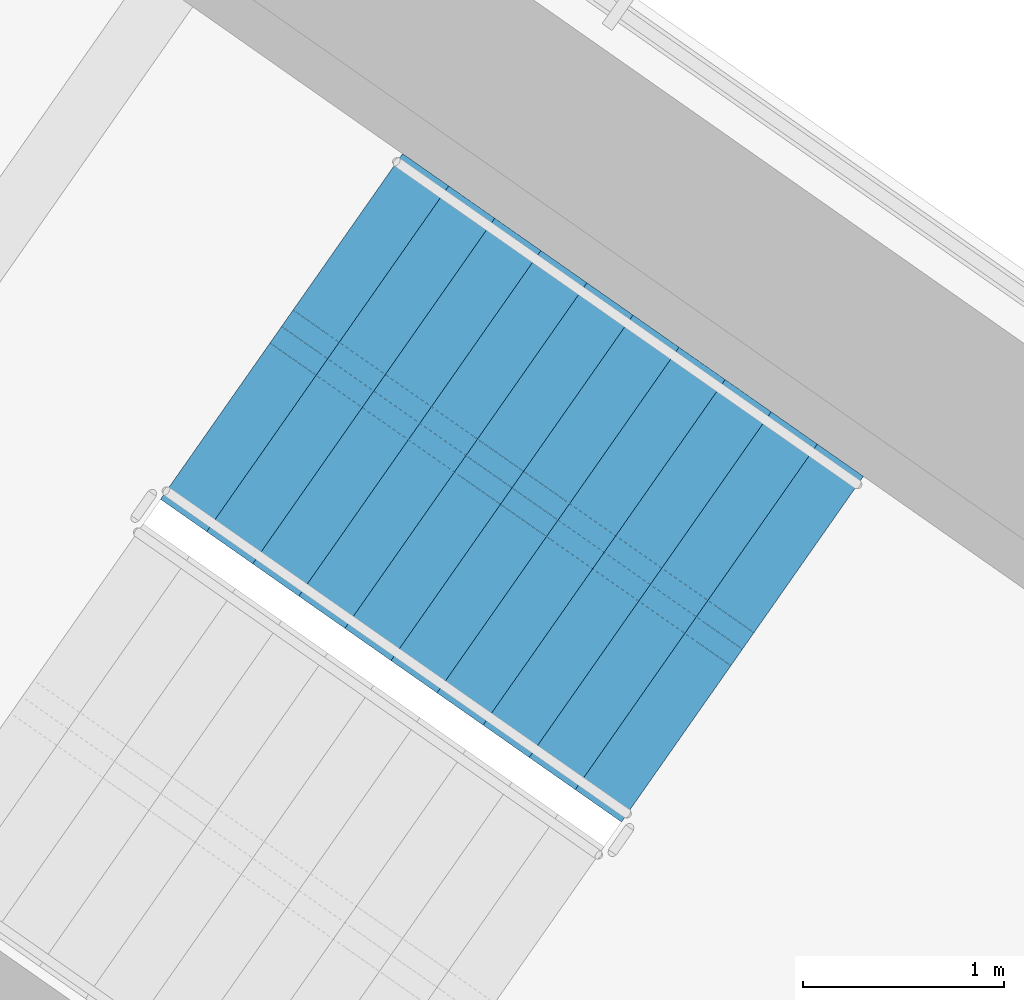
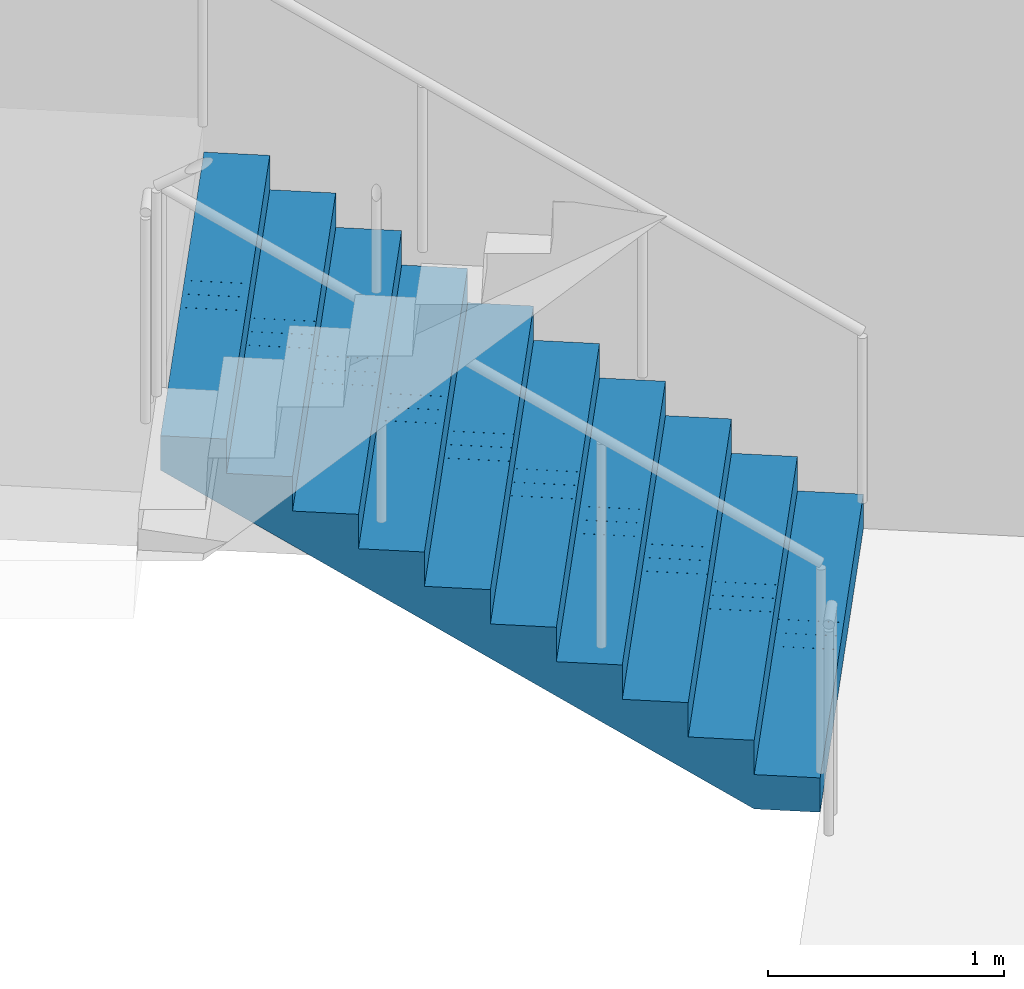
# One storey, part 16 of 22: 1 stair flight, 1 element without a shape of its own.
"""IFC4 building model written with IfcOpenShell, lengths in metres."""

from ifc_helpers import new_model, si_unit, direction, frame, origin, place, context, subcontext, project, spatial, polyline, outline, extrude, material, type_object, element, aggregate, save


model = new_model("IFC4")

# Units and contexts
model_context = context("Model", 3, precision=1e-05, world=origin(), true_north=direction((0.0, 1.0)))
body_context = subcontext(model_context, "Body", "Model", "MODEL_VIEW")
ifc_project = project(units=[si_unit("LENGTHUNIT", "METRE"), si_unit("AREAUNIT", "SQUARE_METRE"), si_unit("VOLUMEUNIT", "CUBIC_METRE"), si_unit("PLANEANGLEUNIT", "RADIAN"), si_unit("MASSUNIT", "GRAM", prefix="KILO")], contexts=[model_context])

# Site, building, storey
site_placement = place(None, origin())
site = spatial("IfcSite", under=ifc_project, at=site_placement, CompositionType="ELEMENT")
building_placement = place(site_placement, origin())
building = spatial("IfcBuilding", under=site, at=building_placement, Name="Tel Ilan Convention Tower", CompositionType="ELEMENT")
storey_placement = place(building_placement, frame((0.0, 0.0, 135.89990234375)))
storey = spatial("IfcBuildingStorey", under=building, at=storey_placement, Name="L30", CompositionType="ELEMENT", Elevation=135.89990234375)

# Stair, stair flight
ifc_material_1 = material(Name="Concrete C40/50", Category="concrete")
stair_type = type_object("IfcStairType", Name="Pressurised Exit Stair 22 risers 177 mm", PredefinedType="HALF_TURN_STAIR", material=ifc_material_1)
stair_placement = place(storey_placement, origin())
stair = element("IfcStair", 1, at=stair_placement, inside=storey, type_object=stair_type, Name="L30 Pressurised Stair S3", PredefinedType="HALF_TURN_STAIR")
ifc_material_2 = material(Name="Precast Concrete C40/50", Category="concrete")
stair_flight_type = type_object("IfcStairFlightType", Name="Concrete Stair Flight 2100 mm 22 risers 177 mm", PredefinedType="STRAIGHT", material=ifc_material_2)
stair_flight_placement = place(storey_placement, frame((24.25244140625, -7.032470703125, 0.0), z_axis=(0.0, 0.0, 1.0), x_axis=(-0.819152044289, 0.573576436351, 0.0)))
stair_flight = element("IfcStairFlight", 2, at=stair_flight_placement, type_object=stair_flight_type, Name="S3 flight 1", NumberOfRisers=11, NumberOfTreads=10, PredefinedType="STRAIGHT", RiserHeight=0.177272727, TreadLength=0.28, context=body_context, shape_type="SweptSolid", body=[
    extrude(outline(polyline([(0.0, 0.0), (0.0, 0.17724609375), (0.280029296875, 0.17724609375), (0.280029296875, 0.3544921875), (0.56005859375, 0.3544921875), (0.56005859375, 0.53173828125), (0.840087890625, 0.53173828125), (0.840087890625, 0.708984375), (1.1201171875, 0.708984375), (1.1201171875, 0.886474609375), (1.39990234375, 0.886474609375), (1.39990234375, 1.063720703125), (1.679931640625, 1.063720703125), (1.679931640625, 1.240966796875), (1.9599609375, 1.240966796875), (1.9599609375, 1.418212890625), (2.239990234375, 1.418212890625), (2.239990234375, 1.595458984375), (2.52001953125, 1.595458984375), (2.52001953125, 1.772705078125), (2.800048828125, 1.772705078125), (2.800048828125, 1.949951171875), (2.800048828125, 1.59521484375), (0.2802734375, 0.0), (0.0, 0.0)])), frame((0.0, -0.100341796875, 0.0), z_axis=(0.0, -1.0, 0.0), x_axis=(1.0, 0.0, 0.0)), (0.0, 0.0, 1.0), 0.94970703125),
    extrude(outline(polyline([(0.0, 0.0), (0.0, 0.17724609375), (0.280029296875, 0.17724609375), (0.280029296875, 0.3544921875), (0.56005859375, 0.3544921875), (0.56005859375, 0.53173828125), (0.840087890625, 0.53173828125), (0.840087890625, 0.708984375), (1.1201171875, 0.708984375), (1.1201171875, 0.886474609375), (1.39990234375, 0.886474609375), (1.39990234375, 1.063720703125), (1.679931640625, 1.063720703125), (1.679931640625, 1.240966796875), (1.9599609375, 1.240966796875), (1.9599609375, 1.418212890625), (2.239990234375, 1.418212890625), (2.239990234375, 1.595458984375), (2.52001953125, 1.595458984375), (2.52001953125, 1.772705078125), (2.800048828125, 1.772705078125), (2.800048828125, 1.949951171875), (2.800048828125, 1.59521484375), (0.2802734375, 0.0), (0.0, 0.0)])), frame((0.0, -0.000244140625, 0.0), z_axis=(0.0, -1.0, 0.0), x_axis=(1.0, 0.0, 0.0)), (0.0, 0.0, 1.0), 0.099609375),
    extrude(outline(polyline([(0.0, 0.0), (0.0, 0.17724609375), (0.280029296875, 0.17724609375), (0.280029296875, 0.3544921875), (0.56005859375, 0.3544921875), (0.56005859375, 0.53173828125), (0.840087890625, 0.53173828125), (0.840087890625, 0.708984375), (1.1201171875, 0.708984375), (1.1201171875, 0.886474609375), (1.39990234375, 0.886474609375), (1.39990234375, 1.063720703125), (1.679931640625, 1.063720703125), (1.679931640625, 1.240966796875), (1.9599609375, 1.240966796875), (1.9599609375, 1.418212890625), (2.239990234375, 1.418212890625), (2.239990234375, 1.595458984375), (2.52001953125, 1.595458984375), (2.52001953125, 1.772705078125), (2.800048828125, 1.772705078125), (2.800048828125, 1.949951171875), (2.800048828125, 1.59521484375), (0.2802734375, 0.0), (0.0, 0.0)])), frame((0.0, 0.099853515625, 0.0), z_axis=(0.0, -1.0, 0.0), x_axis=(1.0, 0.0, 0.0)), (0.0, 0.0, 1.0), 0.099609375),
    extrude(outline(polyline([(0.0, 0.0), (0.0, 0.17724609375), (0.280029296875, 0.17724609375), (0.280029296875, 0.3544921875), (0.56005859375, 0.3544921875), (0.56005859375, 0.53173828125), (0.840087890625, 0.53173828125), (0.840087890625, 0.708984375), (1.1201171875, 0.708984375), (1.1201171875, 0.886474609375), (1.39990234375, 0.886474609375), (1.39990234375, 1.063720703125), (1.679931640625, 1.063720703125), (1.679931640625, 1.240966796875), (1.9599609375, 1.240966796875), (1.9599609375, 1.418212890625), (2.239990234375, 1.418212890625), (2.239990234375, 1.595458984375), (2.52001953125, 1.595458984375), (2.52001953125, 1.772705078125), (2.800048828125, 1.772705078125), (2.800048828125, 1.949951171875), (2.800048828125, 1.59521484375), (0.2802734375, 0.0), (0.0, 0.0)])), frame((0.0, 1.050048828125, 0.0), z_axis=(0.0, -1.0, 0.0), x_axis=(1.0, 0.0, 0.0)), (0.0, 0.0, 1.0), 0.94970703125),
])
aggregate(stair, [stair_flight])

save(model, "model.ifc")
